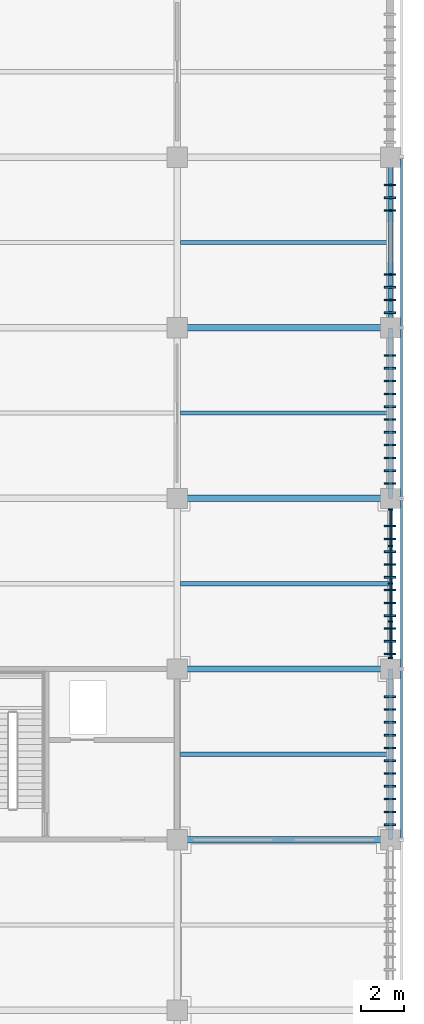
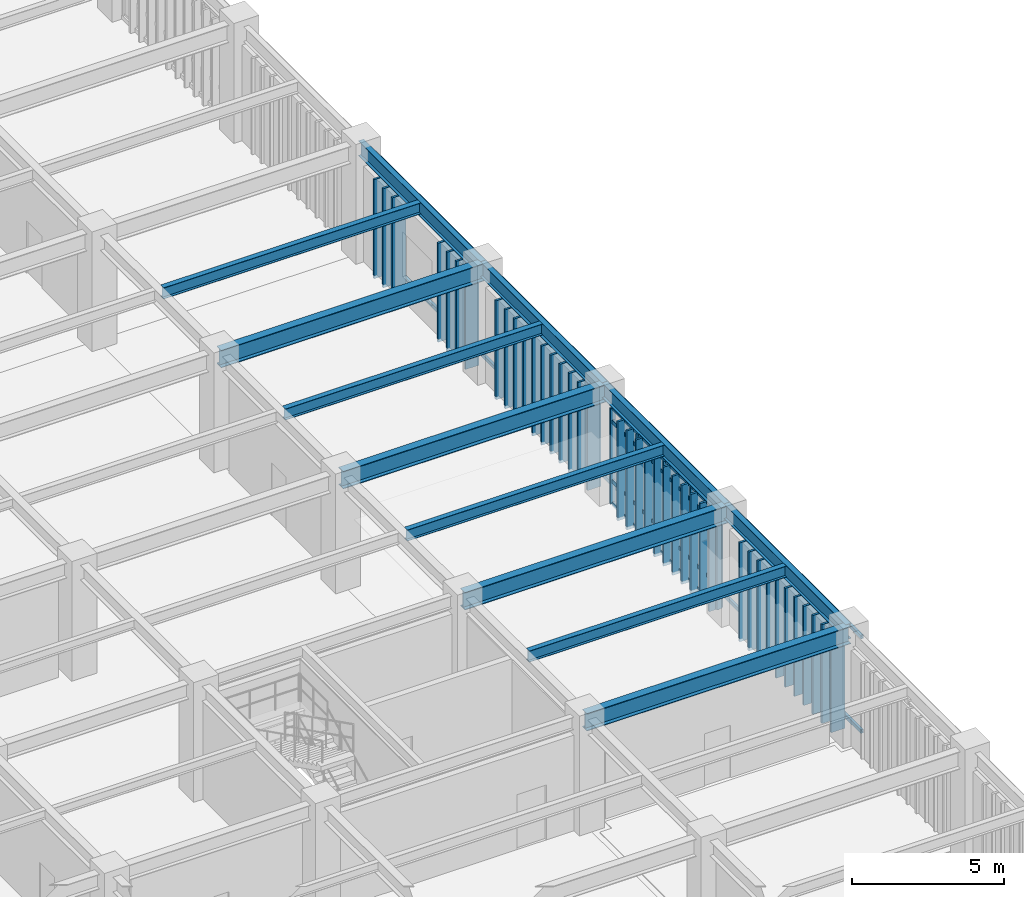
# One storey, part 35 of 109: 69 members, 12 beams, 1 element without a shape of its own.
"""IFC4 building model written with IfcOpenShell, lengths in metres."""

from ifc_helpers import new_model, si_unit, direction, frame, origin, origin_2d, place, context, subcontext, project, spatial, rectangle, hollow_rectangle, i_section, extrude, material, layer, layer_set, material_profile, profile_set, type_object, element, aggregate, save


model = new_model("IFC4")

# Units and contexts
model_context = context("Model", 3, precision=1e-05, world=origin(), true_north=direction((0.0, 1.0)))
body_context = subcontext(model_context, "Body", "Model", "MODEL_VIEW")
ifc_project = project(units=[si_unit("LENGTHUNIT", "METRE"), si_unit("AREAUNIT", "SQUARE_METRE"), si_unit("VOLUMEUNIT", "CUBIC_METRE"), si_unit("PLANEANGLEUNIT", "RADIAN"), si_unit("MASSUNIT", "GRAM", prefix="KILO")], contexts=[model_context])

# Site, building, storey
site_placement = place(None, origin())
site = spatial("IfcSite", under=ifc_project, at=site_placement, CompositionType="ELEMENT")
building_placement = place(site_placement, origin())
building = spatial("IfcBuilding", under=site, at=building_placement, Name="Haebicheon Civic Stadium", CompositionType="ELEMENT")
storey_placement = place(building_placement, frame((0.0, 0.0, 9.60009765625)))
storey = spatial("IfcBuildingStorey", under=building, at=storey_placement, Name="L03", CompositionType="ELEMENT", Elevation=9.60009765625)

# Beams
ifc_material_1 = material(Name="Steel SM490", Category="steel")
ifc_material_profile_1 = material_profile(ifc_material_1, i_section(OverallWidth=0.300048828125, OverallDepth=0.699951171875, WebThickness=0.012939453125, FlangeThickness=0.02392578125, at=origin_2d()), Name="H-700x300x13x24")
ifc_profile_set_1 = profile_set([ifc_material_profile_1], Name="Steel SM490")
beam_type_1 = type_object("IfcBeamType", Name="BM-ST-H700", PredefinedType="BEAM", material=ifc_profile_set_1)
for number, where, z_axis, x_axis, name in (
    (1, (226.0, 64.0, 4.18994140625), (1.0, 0.0, 0.0), (0.0, 1.0, 0.0), "L03 beam J/29-30"),
    (2, (226.0, 72.0, 4.18994140625), (1.0, 0.0, 0.0), (0.0, 1.0, 0.0), "L03 beam K/29-30"),
    (3, (226.0, 80.0, 4.18994140625), (1.0, 0.0, 0.0), (0.0, 1.0, 0.0), "L03 beam L/29-30"),
    (4, (226.0, 88.0, 4.18994140625), (1.0, 0.0, 0.0), (0.0, 1.0, 0.0), "L03 beam M/29-30"),
):
    element("IfcBeam", number, at=place(storey_placement, frame(where, z_axis=z_axis, x_axis=x_axis)), inside=storey, type_object=beam_type_1, material=ifc_profile_set_1, Name=name, PredefinedType="BEAM", context=body_context, shape_type="SweptSolid", body=[
        extrude(i_section(OverallWidth=0.300048828125, OverallDepth=0.699951171875, WebThickness=0.012939453125, FlangeThickness=0.02392578125, at=origin_2d()), origin(), (0.0, 0.0, 1.0), 10.0),
    ])

# Curtain wall, members
ifc_material_2 = material(Name="Anodised aluminium and laminated glass", Category="aluminium")
ifc_layer = layer(ifc_material_2, 0.179931640625, Name="Anodised aluminium and laminated glass")
ifc_layer_set = layer_set([ifc_layer], Name="Anodised aluminium and laminated glass")
curtain_wall_type = type_object("IfcCurtainWallType", Name="CW-7050x3830", PredefinedType="NOTDEFINED", material=ifc_layer_set)
curtain_wall_placement = place(storey_placement, origin())
curtain_wall = element("IfcCurtainWall", 5, at=curtain_wall_placement, inside=storey, type_object=curtain_wall_type, material=ifc_layer_set, Name="L03 unitised curtain wall 102", PredefinedType="NOTDEFINED")
ifc_material_3 = material(Name="Anodised aluminium 6063-T6", Category="aluminium")
ifc_material_profile_2 = material_profile(ifc_material_3, rectangle(XDim=0.070068359375, YDim=0.199951171875, at=origin_2d()), Name="ALU-MULL-70x200")
ifc_profile_set_2 = profile_set([ifc_material_profile_2], Name="Anodised aluminium 6063-T6")
member_type_1 = type_object("IfcMemberType", Name="CWM-200x70", PredefinedType="MULLION", material=ifc_profile_set_2)
member_1_placement = place(storey_placement, frame((236.0, 72.510009765625, 0.0), z_axis=(0.0, 0.0, 1.0), x_axis=(0.0, 1.0, 0.0)))
member_1 = element("IfcMember", 6, at=member_1_placement, type_object=member_type_1, material=ifc_profile_set_2, Name="CW-L03-102 vertical mullion 1", PredefinedType="MULLION", context=body_context, shape_type="SweptSolid", body=[
    extrude(rectangle(XDim=0.070068359375, YDim=0.199951171875, at=origin_2d()), origin(), (0.0, 0.0, 1.0), 3.829833984375),
])
member_2_placement = place(storey_placement, frame((236.0, 74.237060546875, 0.0), z_axis=(0.0, 0.0, 1.0), x_axis=(0.0, 1.0, 0.0)))
member_2 = element("IfcMember", 7, at=member_2_placement, type_object=member_type_1, material=ifc_profile_set_2, Name="CW-L03-102 vertical mullion 2", PredefinedType="MULLION", context=body_context, shape_type="SweptSolid", body=[
    extrude(rectangle(XDim=0.070068359375, YDim=0.199951171875, at=origin_2d()), origin(), (0.0, 0.0, 1.0), 3.829833984375),
])
member_3_placement = place(storey_placement, frame((236.0, 76.0, 0.0), z_axis=(0.0, 0.0, 1.0), x_axis=(0.0, 1.0, 0.0)))
member_3 = element("IfcMember", 8, at=member_3_placement, type_object=member_type_1, material=ifc_profile_set_2, Name="CW-L03-102 vertical mullion 3", PredefinedType="MULLION", context=body_context, shape_type="SweptSolid", body=[
    extrude(rectangle(XDim=0.070068359375, YDim=0.199951171875, at=origin_2d()), origin(), (0.0, 0.0, 1.0), 3.829833984375),
])
member_4_placement = place(storey_placement, frame((236.0, 77.762939453125, 0.0), z_axis=(0.0, 0.0, 1.0), x_axis=(0.0, 1.0, 0.0)))
member_4 = element("IfcMember", 9, at=member_4_placement, type_object=member_type_1, material=ifc_profile_set_2, Name="CW-L03-102 vertical mullion 4", PredefinedType="MULLION", context=body_context, shape_type="SweptSolid", body=[
    extrude(rectangle(XDim=0.070068359375, YDim=0.199951171875, at=origin_2d()), origin(), (0.0, 0.0, 1.0), 3.829833984375),
])
member_5_placement = place(storey_placement, frame((236.0, 79.489990234375, 0.0), z_axis=(0.0, 0.0, 1.0), x_axis=(0.0, 1.0, 0.0)))
member_5 = element("IfcMember", 10, at=member_5_placement, type_object=member_type_1, material=ifc_profile_set_2, Name="CW-L03-102 vertical mullion 5", PredefinedType="MULLION", context=body_context, shape_type="SweptSolid", body=[
    extrude(rectangle(XDim=0.070068359375, YDim=0.199951171875, at=origin_2d()), origin(), (0.0, 0.0, 1.0), 3.829833984375),
])
ifc_material_4 = material(Name="Anodised aluminium 6063-T6", Category="aluminium")
ifc_material_profile_3 = material_profile(ifc_material_4, rectangle(XDim=0.070068359375, YDim=0.14990234375, at=origin_2d()), Name="ALU-TRAN-70x150")
ifc_profile_set_3 = profile_set([ifc_material_profile_3], Name="Anodised aluminium 6063-T6")
member_type_2 = type_object("IfcMemberType", Name="CWT-150x70", PredefinedType="NOTDEFINED", material=ifc_profile_set_3)
member_6_placement = place(storey_placement, frame((236.0, 72.544921875, 0.0), z_axis=(0.0, 1.0, 0.0), x_axis=(-1.0, 0.0, 0.0)))
member_6 = element("IfcMember", 11, at=member_6_placement, type_object=member_type_2, material=ifc_profile_set_3, Name="CW-L03-102 horizontal transom 1.1", ObjectType="TRANSOM", PredefinedType="USERDEFINED", context=body_context, shape_type="SweptSolid", body=[
    extrude(rectangle(XDim=0.070068359375, YDim=0.14990234375, at=origin_2d()), origin(), (0.0, 0.0, 1.0), 1.656982421875),
])
member_7_placement = place(storey_placement, frame((236.0, 72.544921875, 0.89990234375), z_axis=(0.0, 1.0, 0.0), x_axis=(-1.0, 0.0, 0.0)))
member_7 = element("IfcMember", 12, at=member_7_placement, type_object=member_type_2, material=ifc_profile_set_3, Name="CW-L03-102 horizontal transom 1.2", ObjectType="TRANSOM", PredefinedType="USERDEFINED", context=body_context, shape_type="SweptSolid", body=[
    extrude(rectangle(XDim=0.070068359375, YDim=0.14990234375, at=origin_2d()), origin(), (0.0, 0.0, 1.0), 1.656982421875),
])
member_8_placement = place(storey_placement, frame((236.0, 72.544921875, 3.27978515625), z_axis=(0.0, 1.0, 0.0), x_axis=(-1.0, 0.0, 0.0)))
member_8 = element("IfcMember", 13, at=member_8_placement, type_object=member_type_2, material=ifc_profile_set_3, Name="CW-L03-102 horizontal transom 1.3", ObjectType="TRANSOM", PredefinedType="USERDEFINED", context=body_context, shape_type="SweptSolid", body=[
    extrude(rectangle(XDim=0.070068359375, YDim=0.14990234375, at=origin_2d()), origin(), (0.0, 0.0, 1.0), 1.656982421875),
])
member_9_placement = place(storey_placement, frame((236.0, 72.544921875, 3.829833984375), z_axis=(0.0, 1.0, 0.0), x_axis=(-1.0, 0.0, 0.0)))
member_9 = element("IfcMember", 14, at=member_9_placement, type_object=member_type_2, material=ifc_profile_set_3, Name="CW-L03-102 horizontal transom 1.4", ObjectType="TRANSOM", PredefinedType="USERDEFINED", context=body_context, shape_type="SweptSolid", body=[
    extrude(rectangle(XDim=0.070068359375, YDim=0.14990234375, at=origin_2d()), origin(), (0.0, 0.0, 1.0), 1.656982421875),
])
member_10_placement = place(storey_placement, frame((236.0, 74.27197265625, 0.0), z_axis=(0.0, 1.0, 0.0), x_axis=(-1.0, 0.0, 0.0)))
member_10 = element("IfcMember", 15, at=member_10_placement, type_object=member_type_2, material=ifc_profile_set_3, Name="CW-L03-102 horizontal transom 2.1", ObjectType="TRANSOM", PredefinedType="USERDEFINED", context=body_context, shape_type="SweptSolid", body=[
    extrude(rectangle(XDim=0.070068359375, YDim=0.14990234375, at=origin_2d()), origin(), (0.0, 0.0, 1.0), 1.693115234375),
])
member_11_placement = place(storey_placement, frame((236.0, 74.27197265625, 0.89990234375), z_axis=(0.0, 1.0, 0.0), x_axis=(-1.0, 0.0, 0.0)))
member_11 = element("IfcMember", 16, at=member_11_placement, type_object=member_type_2, material=ifc_profile_set_3, Name="CW-L03-102 horizontal transom 2.2", ObjectType="TRANSOM", PredefinedType="USERDEFINED", context=body_context, shape_type="SweptSolid", body=[
    extrude(rectangle(XDim=0.070068359375, YDim=0.14990234375, at=origin_2d()), origin(), (0.0, 0.0, 1.0), 1.693115234375),
])
member_12_placement = place(storey_placement, frame((236.0, 74.27197265625, 3.27978515625), z_axis=(0.0, 1.0, 0.0), x_axis=(-1.0, 0.0, 0.0)))
member_12 = element("IfcMember", 17, at=member_12_placement, type_object=member_type_2, material=ifc_profile_set_3, Name="CW-L03-102 horizontal transom 2.3", ObjectType="TRANSOM", PredefinedType="USERDEFINED", context=body_context, shape_type="SweptSolid", body=[
    extrude(rectangle(XDim=0.070068359375, YDim=0.14990234375, at=origin_2d()), origin(), (0.0, 0.0, 1.0), 1.693115234375),
])
member_13_placement = place(storey_placement, frame((236.0, 74.27197265625, 3.829833984375), z_axis=(0.0, 1.0, 0.0), x_axis=(-1.0, 0.0, 0.0)))
member_13 = element("IfcMember", 18, at=member_13_placement, type_object=member_type_2, material=ifc_profile_set_3, Name="CW-L03-102 horizontal transom 2.4", ObjectType="TRANSOM", PredefinedType="USERDEFINED", context=body_context, shape_type="SweptSolid", body=[
    extrude(rectangle(XDim=0.070068359375, YDim=0.14990234375, at=origin_2d()), origin(), (0.0, 0.0, 1.0), 1.693115234375),
])
member_14_placement = place(storey_placement, frame((236.0, 76.034912109375, 0.0), z_axis=(0.0, 1.0, 0.0), x_axis=(-1.0, 0.0, 0.0)))
member_14 = element("IfcMember", 19, at=member_14_placement, type_object=member_type_2, material=ifc_profile_set_3, Name="CW-L03-102 horizontal transom 3.1", ObjectType="TRANSOM", PredefinedType="USERDEFINED", context=body_context, shape_type="SweptSolid", body=[
    extrude(rectangle(XDim=0.070068359375, YDim=0.14990234375, at=origin_2d()), origin(), (0.0, 0.0, 1.0), 1.693115234375),
])
member_15_placement = place(storey_placement, frame((236.0, 76.034912109375, 0.89990234375), z_axis=(0.0, 1.0, 0.0), x_axis=(-1.0, 0.0, 0.0)))
member_15 = element("IfcMember", 20, at=member_15_placement, type_object=member_type_2, material=ifc_profile_set_3, Name="CW-L03-102 horizontal transom 3.2", ObjectType="TRANSOM", PredefinedType="USERDEFINED", context=body_context, shape_type="SweptSolid", body=[
    extrude(rectangle(XDim=0.070068359375, YDim=0.14990234375, at=origin_2d()), origin(), (0.0, 0.0, 1.0), 1.693115234375),
])
member_16_placement = place(storey_placement, frame((236.0, 76.034912109375, 3.27978515625), z_axis=(0.0, 1.0, 0.0), x_axis=(-1.0, 0.0, 0.0)))
member_16 = element("IfcMember", 21, at=member_16_placement, type_object=member_type_2, material=ifc_profile_set_3, Name="CW-L03-102 horizontal transom 3.3", ObjectType="TRANSOM", PredefinedType="USERDEFINED", context=body_context, shape_type="SweptSolid", body=[
    extrude(rectangle(XDim=0.070068359375, YDim=0.14990234375, at=origin_2d()), origin(), (0.0, 0.0, 1.0), 1.693115234375),
])
member_17_placement = place(storey_placement, frame((236.0, 76.034912109375, 3.829833984375), z_axis=(0.0, 1.0, 0.0), x_axis=(-1.0, 0.0, 0.0)))
member_17 = element("IfcMember", 22, at=member_17_placement, type_object=member_type_2, material=ifc_profile_set_3, Name="CW-L03-102 horizontal transom 3.4", ObjectType="TRANSOM", PredefinedType="USERDEFINED", context=body_context, shape_type="SweptSolid", body=[
    extrude(rectangle(XDim=0.070068359375, YDim=0.14990234375, at=origin_2d()), origin(), (0.0, 0.0, 1.0), 1.693115234375),
])
member_18_placement = place(storey_placement, frame((236.0, 77.798095703125, 0.0), z_axis=(0.0, 1.0, 0.0), x_axis=(-1.0, 0.0, 0.0)))
member_18 = element("IfcMember", 23, at=member_18_placement, type_object=member_type_2, material=ifc_profile_set_3, Name="CW-L03-102 horizontal transom 4.1", ObjectType="TRANSOM", PredefinedType="USERDEFINED", context=body_context, shape_type="SweptSolid", body=[
    extrude(rectangle(XDim=0.070068359375, YDim=0.14990234375, at=origin_2d()), origin(), (0.0, 0.0, 1.0), 1.656982421875),
])
member_19_placement = place(storey_placement, frame((236.0, 77.798095703125, 0.89990234375), z_axis=(0.0, 1.0, 0.0), x_axis=(-1.0, 0.0, 0.0)))
member_19 = element("IfcMember", 24, at=member_19_placement, type_object=member_type_2, material=ifc_profile_set_3, Name="CW-L03-102 horizontal transom 4.2", ObjectType="TRANSOM", PredefinedType="USERDEFINED", context=body_context, shape_type="SweptSolid", body=[
    extrude(rectangle(XDim=0.070068359375, YDim=0.14990234375, at=origin_2d()), origin(), (0.0, 0.0, 1.0), 1.656982421875),
])
member_20_placement = place(storey_placement, frame((236.0, 77.798095703125, 3.27978515625), z_axis=(0.0, 1.0, 0.0), x_axis=(-1.0, 0.0, 0.0)))
member_20 = element("IfcMember", 25, at=member_20_placement, type_object=member_type_2, material=ifc_profile_set_3, Name="CW-L03-102 horizontal transom 4.3", ObjectType="TRANSOM", PredefinedType="USERDEFINED", context=body_context, shape_type="SweptSolid", body=[
    extrude(rectangle(XDim=0.070068359375, YDim=0.14990234375, at=origin_2d()), origin(), (0.0, 0.0, 1.0), 1.656982421875),
])
member_21_placement = place(storey_placement, frame((236.0, 77.798095703125, 3.829833984375), z_axis=(0.0, 1.0, 0.0), x_axis=(-1.0, 0.0, 0.0)))
member_21 = element("IfcMember", 26, at=member_21_placement, type_object=member_type_2, material=ifc_profile_set_3, Name="CW-L03-102 horizontal transom 4.4", ObjectType="TRANSOM", PredefinedType="USERDEFINED", context=body_context, shape_type="SweptSolid", body=[
    extrude(rectangle(XDim=0.070068359375, YDim=0.14990234375, at=origin_2d()), origin(), (0.0, 0.0, 1.0), 1.656982421875),
])
aggregate(curtain_wall, [member_1, member_2, member_3, member_4, member_5, member_6, member_7, member_8, member_9, member_10, member_11, member_12, member_13, member_14, member_15, member_16, member_17, member_18, member_19, member_20, member_21])

# Beams
ifc_material_5 = material(Name="Steel SM355 (S355)", Category="steel")
ifc_material_profile_4 = material_profile(ifc_material_5, i_section(OverallWidth=0.199951171875, OverallDepth=0.449951171875, WebThickness=0.009033203125, FlangeThickness=0.013916015625, at=origin_2d()), Name="H-450x200x9x14")
ifc_profile_set_4 = profile_set([ifc_material_profile_4], Name="Steel SM355 (S355)")
beam_type_2 = type_object("IfcBeamType", Name="JST-ST-H450", PredefinedType="JOIST", material=ifc_profile_set_4)
for number, where, z_axis, x_axis, name in (
    (27, (226.14990234375, 68.0, 4.31494140625), (1.0, 0.0, 0.0), (0.0, 1.0, 0.0), "L03 secondary joist 28-08"),
    (28, (226.14990234375, 76.0, 4.31494140625), (1.0, 0.0, 0.0), (0.0, 1.0, 0.0), "L03 secondary joist 28-09"),
    (29, (226.14990234375, 84.0, 4.31494140625), (1.0, 0.0, 0.0), (0.0, 1.0, 0.0), "L03 secondary joist 28-10"),
    (30, (226.14990234375, 92.0, 4.31494140625), (1.0, 0.0, 0.0), (0.0, 1.0, 0.0), "L03 secondary joist 28-11"),
):
    element("IfcBeam", number, at=place(storey_placement, frame(where, z_axis=z_axis, x_axis=x_axis)), inside=storey, type_object=beam_type_2, material=ifc_profile_set_4, Name=name, PredefinedType="JOIST", context=body_context, shape_type="SweptSolid", body=[
        extrude(i_section(OverallWidth=0.199951171875, OverallDepth=0.449951171875, WebThickness=0.009033203125, FlangeThickness=0.013916015625, at=origin_2d()), origin(), (0.0, 0.0, 1.0), 9.75),
    ])

# Members
ifc_material_6 = material(Name="Acetylated timber GL28h", Category="wood")
ifc_material_profile_5 = material_profile(ifc_material_6, rectangle(XDim=0.080078125, YDim=0.52001953125, at=origin_2d()), Name="TMB-LOUV-80x520")
ifc_profile_set_5 = profile_set([ifc_material_profile_5], Name="Acetylated timber GL28h")
member_type_3 = type_object("IfcMemberType", Name="LVR-TIM-520x80", PredefinedType="PLATE", material=ifc_profile_set_5)
for number, where, z_axis, x_axis, name in (
    (31, (235.97998046875, 64.699951171875, -0.1201171875), (0.0, 0.0, 1.0), (0.0, 1.0, 0.0), "SCR-COMM L03 acetylated timber storm louvre fin 3.1"),
    (32, (235.97998046875, 65.300048828125, -0.1201171875), (0.0, 0.0, 1.0), (0.0, 1.0, 0.0), "SCR-COMM L03 acetylated timber storm louvre fin 3.2"),
    (33, (235.97998046875, 65.89990234375, -0.1201171875), (0.0, 0.0, 1.0), (0.0, 1.0, 0.0), "SCR-COMM L03 acetylated timber storm louvre fin 3.3"),
    (34, (235.97998046875, 66.5, -0.1201171875), (0.0, 0.0, 1.0), (0.0, 1.0, 0.0), "SCR-COMM L03 acetylated timber storm louvre fin 3.4"),
    (35, (235.97998046875, 67.10009765625, -0.1201171875), (0.0, 0.0, 1.0), (0.0, 1.0, 0.0), "SCR-COMM L03 acetylated timber storm louvre fin 3.5"),
    (36, (235.97998046875, 67.699951171875, -0.1201171875), (0.0, 0.0, 1.0), (0.0, 1.0, 0.0), "SCR-COMM L03 acetylated timber storm louvre fin 3.6"),
    (37, (235.97998046875, 68.300048828125, -0.1201171875), (0.0, 0.0, 1.0), (0.0, 1.0, 0.0), "SCR-COMM L03 acetylated timber storm louvre fin 3.7"),
    (38, (235.97998046875, 68.89990234375, -0.1201171875), (0.0, 0.0, 1.0), (0.0, 1.0, 0.0), "SCR-COMM L03 acetylated timber storm louvre fin 3.8"),
    (39, (235.97998046875, 69.5, -0.1201171875), (0.0, 0.0, 1.0), (0.0, 1.0, 0.0), "SCR-COMM L03 acetylated timber storm louvre fin 3.9"),
    (40, (235.97998046875, 70.10009765625, -0.1201171875), (0.0, 0.0, 1.0), (0.0, 1.0, 0.0), "SCR-COMM L03 acetylated timber storm louvre fin 3.10"),
    (41, (235.97998046875, 70.699951171875, -0.1201171875), (0.0, 0.0, 1.0), (0.0, 1.0, 0.0), "SCR-COMM L03 acetylated timber storm louvre fin 3.11"),
    (42, (235.97998046875, 72.699951171875, -0.1201171875), (0.0, 0.0, 1.0), (0.0, 1.0, 0.0), "SCR-COMM L03 acetylated timber storm louvre fin 4.1"),
    (43, (235.97998046875, 73.300048828125, -0.1201171875), (0.0, 0.0, 1.0), (0.0, 1.0, 0.0), "SCR-COMM L03 acetylated timber storm louvre fin 4.2"),
    (44, (235.97998046875, 73.89990234375, -0.1201171875), (0.0, 0.0, 1.0), (0.0, 1.0, 0.0), "SCR-COMM L03 acetylated timber storm louvre fin 4.3"),
    (45, (235.97998046875, 74.5, -0.1201171875), (0.0, 0.0, 1.0), (0.0, 1.0, 0.0), "SCR-COMM L03 acetylated timber storm louvre fin 4.4"),
    (46, (235.97998046875, 75.10009765625, -0.1201171875), (0.0, 0.0, 1.0), (0.0, 1.0, 0.0), "SCR-COMM L03 acetylated timber storm louvre fin 4.5"),
    (47, (235.97998046875, 75.699951171875, -0.1201171875), (0.0, 0.0, 1.0), (0.0, 1.0, 0.0), "SCR-COMM L03 acetylated timber storm louvre fin 4.6"),
    (48, (235.97998046875, 76.300048828125, -0.1201171875), (0.0, 0.0, 1.0), (0.0, 1.0, 0.0), "SCR-COMM L03 acetylated timber storm louvre fin 4.7"),
    (49, (235.97998046875, 76.89990234375, -0.1201171875), (0.0, 0.0, 1.0), (0.0, 1.0, 0.0), "SCR-COMM L03 acetylated timber storm louvre fin 4.8"),
    (50, (235.97998046875, 77.5, -0.1201171875), (0.0, 0.0, 1.0), (0.0, 1.0, 0.0), "SCR-COMM L03 acetylated timber storm louvre fin 4.9"),
    (51, (235.97998046875, 78.10009765625, -0.1201171875), (0.0, 0.0, 1.0), (0.0, 1.0, 0.0), "SCR-COMM L03 acetylated timber storm louvre fin 4.10"),
    (52, (235.97998046875, 78.699951171875, -0.1201171875), (0.0, 0.0, 1.0), (0.0, 1.0, 0.0), "SCR-COMM L03 acetylated timber storm louvre fin 4.11"),
    (53, (235.97998046875, 80.699951171875, -0.1201171875), (0.0, 0.0, 1.0), (0.0, 1.0, 0.0), "SCR-COMM L03 acetylated timber storm louvre fin 5.1"),
    (54, (235.97998046875, 81.300048828125, -0.1201171875), (0.0, 0.0, 1.0), (0.0, 1.0, 0.0), "SCR-COMM L03 acetylated timber storm louvre fin 5.2"),
    (55, (235.97998046875, 81.89990234375, -0.1201171875), (0.0, 0.0, 1.0), (0.0, 1.0, 0.0), "SCR-COMM L03 acetylated timber storm louvre fin 5.3"),
    (56, (235.97998046875, 82.5, -0.1201171875), (0.0, 0.0, 1.0), (0.0, 1.0, 0.0), "SCR-COMM L03 acetylated timber storm louvre fin 5.4"),
    (57, (235.97998046875, 83.10009765625, -0.1201171875), (0.0, 0.0, 1.0), (0.0, 1.0, 0.0), "SCR-COMM L03 acetylated timber storm louvre fin 5.5"),
    (58, (235.97998046875, 83.699951171875, -0.1201171875), (0.0, 0.0, 1.0), (0.0, 1.0, 0.0), "SCR-COMM L03 acetylated timber storm louvre fin 5.6"),
    (59, (235.97998046875, 84.300048828125, -0.1201171875), (0.0, 0.0, 1.0), (0.0, 1.0, 0.0), "SCR-COMM L03 acetylated timber storm louvre fin 5.7"),
    (60, (235.97998046875, 84.89990234375, -0.1201171875), (0.0, 0.0, 1.0), (0.0, 1.0, 0.0), "SCR-COMM L03 acetylated timber storm louvre fin 5.8"),
    (61, (235.97998046875, 85.5, -0.1201171875), (0.0, 0.0, 1.0), (0.0, 1.0, 0.0), "SCR-COMM L03 acetylated timber storm louvre fin 5.9"),
    (62, (235.97998046875, 86.10009765625, -0.1201171875), (0.0, 0.0, 1.0), (0.0, 1.0, 0.0), "SCR-COMM L03 acetylated timber storm louvre fin 5.10"),
    (63, (235.97998046875, 86.699951171875, -0.1201171875), (0.0, 0.0, 1.0), (0.0, 1.0, 0.0), "SCR-COMM L03 acetylated timber storm louvre fin 5.11"),
    (64, (235.97998046875, 88.699951171875, -0.1201171875), (0.0, 0.0, 1.0), (0.0, 1.0, 0.0), "SCR-COMM L03 acetylated timber storm louvre fin 6.1"),
    (65, (235.97998046875, 89.300048828125, -0.1201171875), (0.0, 0.0, 1.0), (0.0, 1.0, 0.0), "SCR-COMM L03 acetylated timber storm louvre fin 6.2"),
    (66, (235.97998046875, 89.89990234375, -0.1201171875), (0.0, 0.0, 1.0), (0.0, 1.0, 0.0), "SCR-COMM L03 acetylated timber storm louvre fin 6.3"),
    (67, (235.97998046875, 90.5, -0.1201171875), (0.0, 0.0, 1.0), (0.0, 1.0, 0.0), "SCR-COMM L03 acetylated timber storm louvre fin 6.4"),
    (68, (235.97998046875, 93.5, -0.1201171875), (0.0, 0.0, 1.0), (0.0, 1.0, 0.0), "SCR-COMM L03 acetylated timber storm louvre fin 6.9"),
    (69, (235.97998046875, 94.10009765625, -0.1201171875), (0.0, 0.0, 1.0), (0.0, 1.0, 0.0), "SCR-COMM L03 acetylated timber storm louvre fin 6.10"),
    (70, (235.97998046875, 94.699951171875, -0.1201171875), (0.0, 0.0, 1.0), (0.0, 1.0, 0.0), "SCR-COMM L03 acetylated timber storm louvre fin 6.11"),
):
    element("IfcMember", number, at=place(storey_placement, frame(where, z_axis=z_axis, x_axis=x_axis)), inside=storey, type_object=member_type_3, material=ifc_profile_set_5, Name=name, PredefinedType="PLATE", context=body_context, shape_type="SweptSolid", body=[
        extrude(rectangle(XDim=0.080078125, YDim=0.52001953125, at=origin_2d()), origin(), (0.0, 0.0, 1.0), 3.969970703125),
    ])

# Beams
ifc_material_7 = material(Name="Steel SM355 (S355)", Category="steel")
ifc_material_profile_6 = material_profile(ifc_material_7, i_section(OverallWidth=0.199951171875, OverallDepth=0.60009765625, WebThickness=0.010986328125, FlangeThickness=0.01708984375, at=origin_2d()), Name="H-600x200x11x17")
ifc_profile_set_6 = profile_set([ifc_material_profile_6], Name="Steel SM355 (S355)")
beam_type_3 = type_object("IfcBeamType", Name="SPD-ST-H600B", PredefinedType="SPANDREL", material=ifc_profile_set_6)
for number, where, z_axis, x_axis, name in (
    (71, (236.0, 64.0, 4.239990234375), (0.0, 1.0, 0.0), (-1.0, 0.0, 0.0), "L03 girder 30/J-K"),
    (72, (236.0, 72.0, 4.239990234375), (0.0, 1.0, 0.0), (-1.0, 0.0, 0.0), "L03 girder 30/K-L"),
    (73, (236.0, 80.0, 4.239990234375), (0.0, 1.0, 0.0), (-1.0, 0.0, 0.0), "L03 girder 30/L-M"),
    (74, (236.0, 88.0, 4.239990234375), (0.0, 1.0, 0.0), (-1.0, 0.0, 0.0), "L03 girder 30/M-N"),
):
    element("IfcBeam", number, at=place(storey_placement, frame(where, z_axis=z_axis, x_axis=x_axis)), inside=storey, type_object=beam_type_3, material=ifc_profile_set_6, Name=name, PredefinedType="SPANDREL", context=body_context, shape_type="SweptSolid", body=[
        extrude(i_section(OverallWidth=0.199951171875, OverallDepth=0.60009765625, WebThickness=0.010986328125, FlangeThickness=0.01708984375, at=origin_2d()), origin(), (0.0, 0.0, 1.0), 8.0),
    ])

# Members
ifc_material_8 = material(Name="Steel SM355 (S355)", Category="steel")
ifc_material_profile_7 = material_profile(ifc_material_8, hollow_rectangle(XDim=0.10009765625, YDim=0.14990234375, WallThickness=0.006103515625, at=origin_2d()), Name="RHS-150x100x6.0")
ifc_profile_set_7 = profile_set([ifc_material_profile_7], Name="Steel SM355 (S355)")
member_type_4 = type_object("IfcMemberType", Name="SUB-RHS150", PredefinedType="STRINGER", material=ifc_profile_set_7)
for number, where, z_axis, x_axis, name in (
    (75, (236.514892578125, 64.0, 0.059814453125), (0.0, 1.0, 0.0), (-1.0, 0.0, 0.0), "SCR-COMM L03 storm-louvre bottom carrier rail 3"),
    (76, (236.514892578125, 64.0, 3.849853515625), (0.0, 1.0, 0.0), (-1.0, 0.0, 0.0), "SCR-COMM L03 storm-louvre top carrier rail 3"),
    (77, (236.514892578125, 72.0, 0.059814453125), (0.0, 1.0, 0.0), (-1.0, 0.0, 0.0), "SCR-COMM L03 storm-louvre bottom carrier rail 4"),
    (78, (236.514892578125, 72.0, 3.849853515625), (0.0, 1.0, 0.0), (-1.0, 0.0, 0.0), "SCR-COMM L03 storm-louvre top carrier rail 4"),
    (79, (236.514892578125, 80.0, 0.059814453125), (0.0, 1.0, 0.0), (-1.0, 0.0, 0.0), "SCR-COMM L03 storm-louvre bottom carrier rail 5"),
    (80, (236.514892578125, 80.0, 3.849853515625), (0.0, 1.0, 0.0), (-1.0, 0.0, 0.0), "SCR-COMM L03 storm-louvre top carrier rail 5"),
    (81, (236.514892578125, 88.0, 0.059814453125), (0.0, 1.0, 0.0), (-1.0, 0.0, 0.0), "SCR-COMM L03 storm-louvre bottom carrier rail 6"),
    (82, (236.514892578125, 88.0, 3.849853515625), (0.0, 1.0, 0.0), (-1.0, 0.0, 0.0), "SCR-COMM L03 storm-louvre top carrier rail 6"),
):
    element("IfcMember", number, at=place(storey_placement, frame(where, z_axis=z_axis, x_axis=x_axis)), inside=storey, type_object=member_type_4, material=ifc_profile_set_7, Name=name, PredefinedType="STRINGER", context=body_context, shape_type="SweptSolid", body=[
        extrude(hollow_rectangle(XDim=0.10009765625, YDim=0.14990234375, WallThickness=0.006103515625, at=origin_2d()), origin(), (0.0, 0.0, 1.0), 8.0),
    ])

save(model, "model.ifc")
